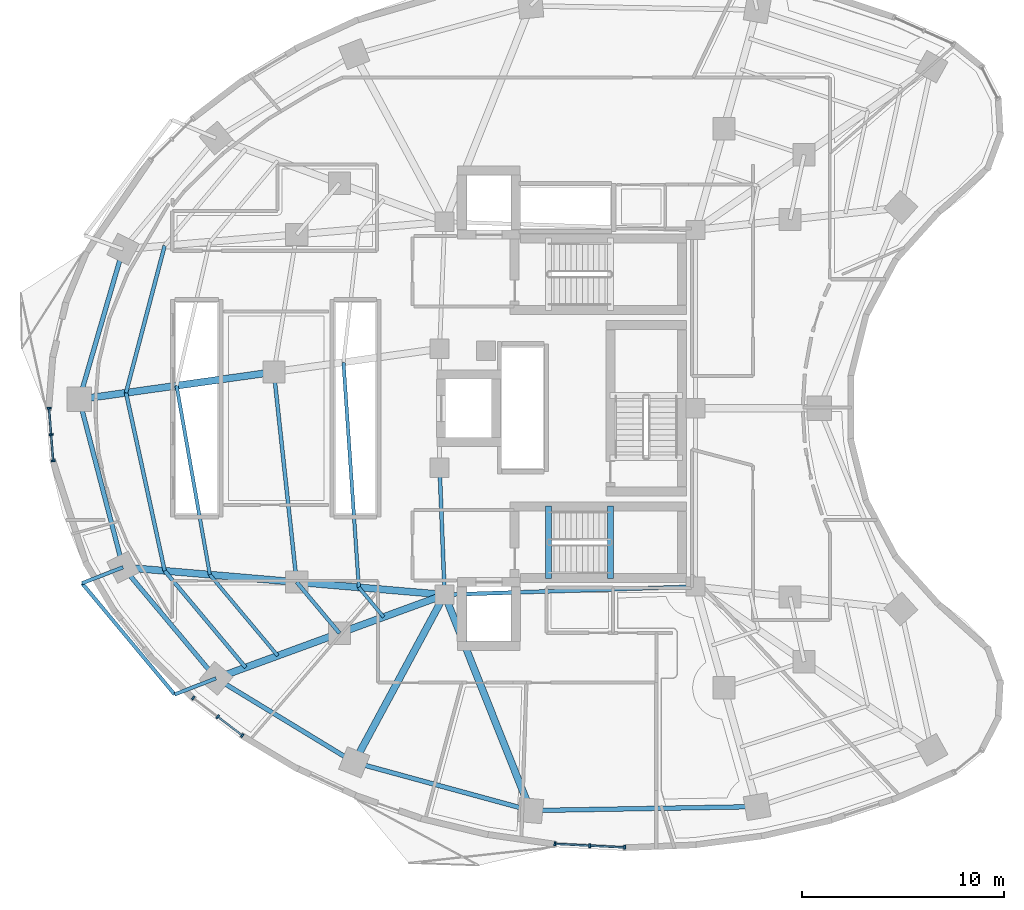
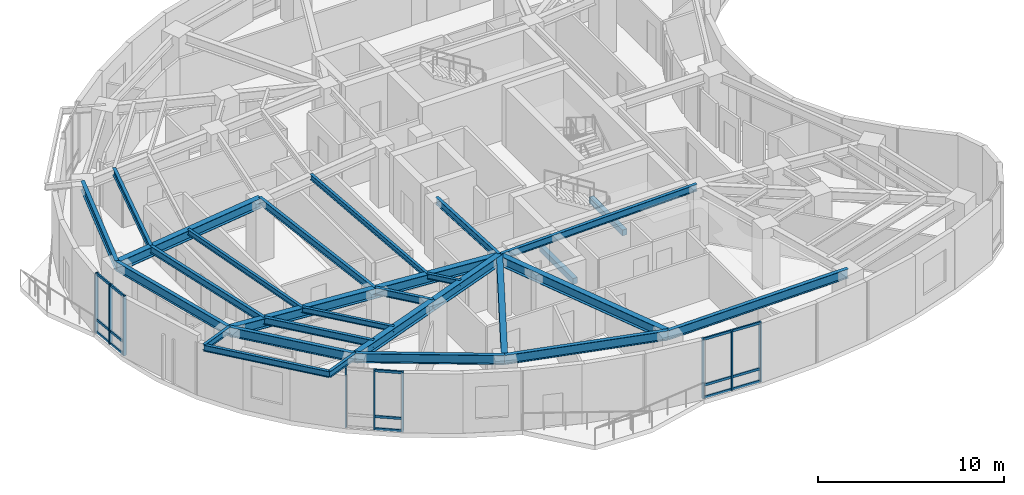
# One storey, part 2 of 15: 29 beams, 24 members, 3 elements without a shape of their own.
"""IFC4 building model written with IfcOpenShell, lengths in metres."""

from ifc_helpers import new_model, si_unit, direction, frame, origin, origin_2d, place, context, subcontext, project, spatial, rectangle, i_section, extrude, material, layer, layer_set, material_profile, profile_set, type_object, element, aggregate, save


model = new_model("IFC4")

# Units and contexts
model_context = context("Model", 3, precision=1e-05, world=origin(), true_north=direction((0.0, 1.0)))
body_context = subcontext(model_context, "Body", "Model", "MODEL_VIEW")
ifc_project = project(units=[si_unit("LENGTHUNIT", "METRE"), si_unit("AREAUNIT", "SQUARE_METRE"), si_unit("VOLUMEUNIT", "CUBIC_METRE"), si_unit("PLANEANGLEUNIT", "RADIAN"), si_unit("MASSUNIT", "GRAM", prefix="KILO")], contexts=[model_context])

# Site, building, storey
site_placement = place(None, origin())
site = spatial("IfcSite", under=ifc_project, at=site_placement, CompositionType="ELEMENT")
building_placement = place(site_placement, origin())
building = spatial("IfcBuilding", under=site, at=building_placement, Name="Korentha Bioscience Tower", CompositionType="ELEMENT")
storey_placement = place(building_placement, frame((0.0, 0.0, 111.0)))
storey = spatial("IfcBuildingStorey", under=building, at=storey_placement, Name="L25", CompositionType="ELEMENT", Elevation=111.0)

# Beams
ifc_material_1 = material(Name="Concrete C50", Category="concrete")
ifc_material_profile_1 = material_profile(ifc_material_1, rectangle(XDim=0.280029296875, YDim=0.3798828125, at=origin_2d()), Name="Concrete C50")
ifc_profile_set_1 = profile_set([ifc_material_profile_1], Name="Concrete C50 (ST-HB380)")
beam_type_1 = type_object("IfcBeamType", Name="Concrete Stair Header Beam RC 280x380", PredefinedType="BEAM", material=ifc_profile_set_1)
for number, where, z_axis, x_axis, name in (
    (1, (30.25, 18.550048828125, -0.18994140625), (0.0, 1.0, 0.0), (-1.0, 0.0, 0.0), "L25 ST-2 Concrete Stair Header Beam"),
    (2, (33.330078125, 18.550048828125, 1.909912109375), (0.0, 1.0, 0.0), (-1.0, 0.0, 0.0), "L25 ST-2 Half-Landing Header Beam 1"),
):
    element("IfcBeam", number, at=place(storey_placement, frame(where, z_axis=z_axis, x_axis=x_axis)), inside=storey, type_object=beam_type_1, Name=name, PredefinedType="BEAM", context=body_context, shape_type="SweptSolid", body=[
        extrude(rectangle(XDim=0.280029296875, YDim=0.3798828125, at=origin_2d()), origin(), (0.0, 0.0, 1.0), 3.599853515625),
    ])
ifc_material_2 = material(Name="Steel S355", Category="steel")
ifc_material_profile_2 = material_profile(ifc_material_2, i_section(OverallWidth=0.18994140625, OverallDepth=0.45703125, WebThickness=0.009033203125, FlangeThickness=0.014404296875, at=origin_2d()), Name="Steel S355")
ifc_profile_set_2 = profile_set([ifc_material_profile_2], Name="Steel S355 (MB-460)")
beam_type_2 = type_object("IfcBeamType", Name="Mid-Ring Tie Girder W460x74", PredefinedType="BEAM", material=ifc_profile_set_2)
beam_1_placement = place(storey_placement, frame((16.627197265625, 28.796630859375, 3.67138671875), z_axis=(0.108002632645, -0.994150607977, 0.0), x_axis=(0.994150607977, 0.108002632645, 0.0)))
element("IfcBeam", 3, at=beam_1_placement, inside=storey, type_object=beam_type_2, Name="L25 Mid-Ring Tie Girder 07", PredefinedType="BEAM", context=body_context, shape_type="SweptSolid", body=[
    extrude(i_section(OverallWidth=0.18994140625, OverallDepth=0.45703125, WebThickness=0.009033203125, FlangeThickness=0.014404296875, at=origin_2d()), origin(), (0.0, 0.0, 1.0), 10.48193359375),
])
beam_2_placement = place(storey_placement, frame((17.75927734375, 18.3759765625, 3.67138671875), z_axis=(0.642121371708, -0.766602989817, 0.0), x_axis=(0.766602989817, 0.642121371708, 0.0)))
element("IfcBeam", 4, at=beam_2_placement, inside=storey, type_object=beam_type_2, Name="L25 Mid-Ring Tie Girder 08", PredefinedType="BEAM", context=body_context, shape_type="SweptSolid", body=[
    extrude(i_section(OverallWidth=0.18994140625, OverallDepth=0.45703125, WebThickness=0.009033203125, FlangeThickness=0.014404296875, at=origin_2d()), origin(), (0.0, 0.0, 1.0), 3.306640625),
])
beam_3_placement = place(storey_placement, frame((24.85009765625, 24.050048828125, 3.67138671875), z_axis=(0.039651025576, -0.999213588864, 0.0), x_axis=(0.999213588864, 0.039651025576, 0.0)))
element("IfcBeam", 5, at=beam_3_placement, inside=storey, type_object=beam_type_2, Name="L25 Core Ring Tie Girder 04", PredefinedType="BEAM", context=body_context, shape_type="SweptSolid", body=[
    extrude(i_section(OverallWidth=0.18994140625, OverallDepth=0.45703125, WebThickness=0.009033203125, FlangeThickness=0.014404296875, at=origin_2d()), origin(), (0.0, 0.0, 1.0), 6.304931640625),
])
beam_4_placement = place(storey_placement, frame((25.10009765625, 17.75, 3.67138671875), z_axis=(0.999484526071, 0.032104238723, 0.0), x_axis=(-0.032104238723, 0.999484526071, 0.0)))
element("IfcBeam", 6, at=beam_4_placement, inside=storey, type_object=beam_type_2, Name="L25 Core Ring Tie Girder 05", PredefinedType="BEAM", context=body_context, shape_type="SweptSolid", body=[
    extrude(i_section(OverallWidth=0.18994140625, OverallDepth=0.45703125, WebThickness=0.009033203125, FlangeThickness=0.014404296875, at=origin_2d()), origin(), (0.0, 0.0, 1.0), 12.456298828125),
])

# Curtain wall, members
ifc_material_3 = material(Name="Thermally Broken Aluminium Frame", Category="aluminium")
ifc_layer = layer(ifc_material_3, 0.219970703125, Name="Thermally Broken Aluminium Frame")
ifc_layer_set = layer_set([ifc_layer], Name="Thermally Broken Aluminium Frame (CW-T1)")
curtain_wall_type = type_object("IfcCurtainWallType", Name="Standard Bioscience Lab Unitised Curtain Wall CW-T1", PredefinedType="USERDEFINED", material=ifc_layer_set)
curtain_wall_1_placement = place(storey_placement, origin())
curtain_wall_1 = element("IfcCurtainWall", 7, at=curtain_wall_1_placement, inside=storey, type_object=curtain_wall_type, Name="L25 Curtain Wall 19", ObjectType="UNITISED", PredefinedType="USERDEFINED")
ifc_material_4 = material(Name="Anodised Aluminium 6063-T6", Category="aluminium")
ifc_material_profile_3 = material_profile(ifc_material_4, rectangle(XDim=0.090087890625, YDim=0.199951171875, at=origin_2d()), Name="Anodised Aluminium 6063-T6")
ifc_profile_set_3 = profile_set([ifc_material_profile_3], Name="Anodised Aluminium 6063-T6 (CW-MUL)")
member_type_1 = type_object("IfcMemberType", Name="Mullion RECT 90x200", PredefinedType="MULLION", material=ifc_profile_set_3)
member_1_placement = place(storey_placement, frame((5.473876953125, 27.0078125, 0.0), z_axis=(0.0, 0.0, 1.0), x_axis=(0.079130214674, -0.996864288219, 0.0)))
member_1 = element("IfcMember", 8, at=member_1_placement, type_object=member_type_1, Name="CW-L25-19 Mullion 1", PredefinedType="MULLION", context=body_context, shape_type="SweptSolid", body=[
    extrude(rectangle(XDim=0.090087890625, YDim=0.199951171875, at=origin_2d()), origin(), (0.0, 0.0, 1.0), 3.89990234375),
])
member_2_placement = place(storey_placement, frame((5.577880859375, 25.6962890625, 0.0), z_axis=(0.0, 0.0, 1.0), x_axis=(0.079130214674, -0.996864288219, 0.0)))
member_2 = element("IfcMember", 9, at=member_2_placement, type_object=member_type_1, Name="CW-L25-19 Mullion 2", PredefinedType="MULLION", context=body_context, shape_type="SweptSolid", body=[
    extrude(rectangle(XDim=0.090087890625, YDim=0.199951171875, at=origin_2d()), origin(), (0.0, 0.0, 1.0), 3.89990234375),
])
member_3_placement = place(storey_placement, frame((5.681884765625, 24.38525390625, 0.0), z_axis=(0.0, 0.0, 1.0), x_axis=(0.079130214674, -0.996864288219, 0.0)))
member_3 = element("IfcMember", 10, at=member_3_placement, type_object=member_type_1, Name="CW-L25-19 Mullion 3", PredefinedType="MULLION", context=body_context, shape_type="SweptSolid", body=[
    extrude(rectangle(XDim=0.090087890625, YDim=0.199951171875, at=origin_2d()), origin(), (0.0, 0.0, 1.0), 3.89990234375),
])

curtain_wall_2_placement = place(storey_placement, origin())
curtain_wall_2 = element("IfcCurtainWall", 11, at=curtain_wall_2_placement, inside=storey, type_object=curtain_wall_type, Name="L25 Curtain Wall 25", ObjectType="UNITISED", PredefinedType="USERDEFINED")
member_4_placement = place(storey_placement, frame((12.624267578125, 12.62890625, 0.0), z_axis=(0.0, 0.0, 1.0), x_axis=(0.794499603893, -0.607264669986, 0.0)))
member_4 = element("IfcMember", 12, at=member_4_placement, type_object=member_type_1, Name="CW-L25-25 Mullion 1", PredefinedType="MULLION", context=body_context, shape_type="SweptSolid", body=[
    extrude(rectangle(XDim=0.090087890625, YDim=0.199951171875, at=origin_2d()), origin(), (0.0, 0.0, 1.0), 3.89990234375),
])
member_5_placement = place(storey_placement, frame((13.844970703125, 11.69580078125, 0.0), z_axis=(0.0, 0.0, 1.0), x_axis=(0.794499603893, -0.607264669986, 0.0)))
member_5 = element("IfcMember", 13, at=member_5_placement, type_object=member_type_1, Name="CW-L25-25 Mullion 2", PredefinedType="MULLION", context=body_context, shape_type="SweptSolid", body=[
    extrude(rectangle(XDim=0.090087890625, YDim=0.199951171875, at=origin_2d()), origin(), (0.0, 0.0, 1.0), 3.89990234375),
])
member_6_placement = place(storey_placement, frame((15.0654296875, 10.7626953125, 0.0), z_axis=(0.0, 0.0, 1.0), x_axis=(0.794499603893, -0.607264669986, 0.0)))
member_6 = element("IfcMember", 14, at=member_6_placement, type_object=member_type_1, Name="CW-L25-25 Mullion 3", PredefinedType="MULLION", context=body_context, shape_type="SweptSolid", body=[
    extrude(rectangle(XDim=0.090087890625, YDim=0.199951171875, at=origin_2d()), origin(), (0.0, 0.0, 1.0), 3.89990234375),
])

curtain_wall_3_placement = place(storey_placement, origin())
curtain_wall_3 = element("IfcCurtainWall", 15, at=curtain_wall_3_placement, inside=storey, type_object=curtain_wall_type, Name="L25 Curtain Wall 31", ObjectType="UNITISED", PredefinedType="USERDEFINED")
member_7_placement = place(storey_placement, frame((30.571533203125, 5.39111328125, 0.0), z_axis=(0.0, 0.0, 1.0), x_axis=(0.998673231344, -0.051495407527, 0.0)))
member_7 = element("IfcMember", 16, at=member_7_placement, type_object=member_type_1, Name="CW-L25-31 Mullion 1", PredefinedType="MULLION", context=body_context, shape_type="SweptSolid", body=[
    extrude(rectangle(XDim=0.090087890625, YDim=0.199951171875, at=origin_2d()), origin(), (0.0, 0.0, 1.0), 3.89990234375),
])
member_8_placement = place(storey_placement, frame((32.301025390625, 5.302001953125, 0.0), z_axis=(0.0, 0.0, 1.0), x_axis=(0.998673231344, -0.051495407527, 0.0)))
member_8 = element("IfcMember", 17, at=member_8_placement, type_object=member_type_1, Name="CW-L25-31 Mullion 2", PredefinedType="MULLION", context=body_context, shape_type="SweptSolid", body=[
    extrude(rectangle(XDim=0.090087890625, YDim=0.199951171875, at=origin_2d()), origin(), (0.0, 0.0, 1.0), 3.89990234375),
])
member_9_placement = place(storey_placement, frame((34.03076171875, 5.212646484375, 0.0), z_axis=(0.0, 0.0, 1.0), x_axis=(0.998673231344, -0.051495407527, 0.0)))
member_9 = element("IfcMember", 18, at=member_9_placement, type_object=member_type_1, Name="CW-L25-31 Mullion 3", PredefinedType="MULLION", context=body_context, shape_type="SweptSolid", body=[
    extrude(rectangle(XDim=0.090087890625, YDim=0.199951171875, at=origin_2d()), origin(), (0.0, 0.0, 1.0), 3.89990234375),
])

# Beams
ifc_material_profile_4 = material_profile(ifc_material_2, i_section(OverallWidth=0.22802734375, OverallDepth=0.60791015625, WebThickness=0.01123046875, FlangeThickness=0.017333984375, at=origin_2d()), Name="Steel S355")
ifc_profile_set_4 = profile_set([ifc_material_profile_4], Name="Steel S355 (SB-610)")
beam_type_3 = type_object("IfcBeamType", Name="Perimeter Ring Spandrel Girder W610x113", PredefinedType="SPANDREL", material=ifc_profile_set_4)
beam_5_placement = place(storey_placement, frame((9.141845703125, 34.889404296875, 3.595947265625), z_axis=(-0.279486251653, -0.960149694129, 0.0), x_axis=(0.960149694129, -0.279486251653, 0.0)))
element("IfcBeam", 19, at=beam_5_placement, inside=storey, type_object=beam_type_3, Name="L25 Perimeter Spandrel Girder 06", PredefinedType="SPANDREL", context=body_context, shape_type="SweptSolid", body=[
    extrude(i_section(OverallWidth=0.22802734375, OverallDepth=0.60791015625, WebThickness=0.01123046875, FlangeThickness=0.017333984375, at=origin_2d()), origin(), (0.0, 0.0, 1.0), 7.756103515625),
])
beam_6_placement = place(storey_placement, frame((6.97412109375, 27.4423828125, 3.595947265625), z_axis=(0.251792692694, -0.96778119423, 0.0), x_axis=(0.96778119423, 0.251792692694, 0.0)))
element("IfcBeam", 20, at=beam_6_placement, inside=storey, type_object=beam_type_3, Name="L25 Perimeter Spandrel Girder 07", PredefinedType="SPANDREL", context=body_context, shape_type="SweptSolid", body=[
    extrude(i_section(OverallWidth=0.22802734375, OverallDepth=0.60791015625, WebThickness=0.01123046875, FlangeThickness=0.017333984375, at=origin_2d()), origin(), (0.0, 0.0, 1.0), 8.609130859375),
])
beam_7_placement = place(storey_placement, frame((9.141845703125, 19.110595703125, 3.595947265625), z_axis=(0.642126556076, -0.76659864726, 0.0), x_axis=(0.76659864726, 0.642126556076, 0.0)))
element("IfcBeam", 21, at=beam_7_placement, inside=storey, type_object=beam_type_3, Name="L25 Perimeter Spandrel Girder 08", PredefinedType="SPANDREL", context=body_context, shape_type="SweptSolid", body=[
    extrude(i_section(OverallWidth=0.22802734375, OverallDepth=0.60791015625, WebThickness=0.01123046875, FlangeThickness=0.017333984375, at=origin_2d()), origin(), (0.0, 0.0, 1.0), 7.1884765625),
])
beam_8_placement = place(storey_placement, frame((13.7578125, 13.599853515625, 3.595947265625), z_axis=(0.854461040474, -0.51951547649, 0.0), x_axis=(0.51951547649, 0.854461040474, 0.0)))
element("IfcBeam", 22, at=beam_8_placement, inside=storey, type_object=beam_type_3, Name="L25 Perimeter Spandrel Girder 09", PredefinedType="SPANDREL", context=body_context, shape_type="SweptSolid", body=[
    extrude(i_section(OverallWidth=0.22802734375, OverallDepth=0.60791015625, WebThickness=0.01123046875, FlangeThickness=0.017333984375, at=origin_2d()), origin(), (0.0, 0.0, 1.0), 8.025146484375),
])
beam_9_placement = place(storey_placement, frame((20.614990234375, 9.4306640625, 3.595947265625), z_axis=(0.964659386444, -0.263500034431, 0.0), x_axis=(0.263500034431, 0.964659386444, 0.0)))
element("IfcBeam", 23, at=beam_9_placement, inside=storey, type_object=beam_type_3, Name="L25 Perimeter Spandrel Girder 10", PredefinedType="SPANDREL", context=body_context, shape_type="SweptSolid", body=[
    extrude(i_section(OverallWidth=0.22802734375, OverallDepth=0.60791015625, WebThickness=0.01123046875, FlangeThickness=0.017333984375, at=origin_2d()), origin(), (0.0, 0.0, 1.0), 9.06982421875),
])
beam_10_placement = place(storey_placement, frame((29.3642578125, 7.040771484375, 3.595947265625), z_axis=(0.999850566826, 0.017287105523, 0.0), x_axis=(-0.017287105523, 0.999850566826, 0.0)))
element("IfcBeam", 24, at=beam_10_placement, inside=storey, type_object=beam_type_3, Name="L25 Perimeter Spandrel Girder 11", PredefinedType="SPANDREL", context=body_context, shape_type="SweptSolid", body=[
    extrude(i_section(OverallWidth=0.22802734375, OverallDepth=0.60791015625, WebThickness=0.01123046875, FlangeThickness=0.017333984375, at=origin_2d()), origin(), (0.0, 0.0, 1.0), 11.24169921875),
])
ifc_material_profile_5 = material_profile(ifc_material_2, i_section(OverallWidth=0.18994140625, OverallDepth=0.45703125, WebThickness=0.009033203125, FlangeThickness=0.014404296875, at=origin_2d()), Name="Steel S355")
ifc_profile_set_5 = profile_set([ifc_material_profile_5], Name="Steel S355 (RB-460)")
beam_type_4 = type_object("IfcBeamType", Name="Radial Laboratory Beam W460x74", PredefinedType="BEAM", material=ifc_profile_set_5)
beam_11_placement = place(storey_placement, frame((11.2099609375, 35.065673828125, 3.67138671875), z_axis=(-0.254294231014, -0.967126901742, 0.0), x_axis=(0.967126901742, -0.254294231014, 0.0)))
element("IfcBeam", 25, at=beam_11_placement, inside=storey, type_object=beam_type_4, Name="L25 Secondary Floor Beam JSTO-06", PredefinedType="BEAM", context=body_context, shape_type="SweptSolid", body=[
    extrude(i_section(OverallWidth=0.18994140625, OverallDepth=0.45703125, WebThickness=0.009033203125, FlangeThickness=0.014404296875, at=origin_2d()), origin(), (0.0, 0.0, 1.0), 7.546142578125),
])
beam_12_placement = place(storey_placement, frame((9.291015625, 27.767578125, 3.67138671875), z_axis=(0.212289478944, -0.977206824132, 0.0), x_axis=(0.977206824132, 0.212289478944, 0.0)))
element("IfcBeam", 26, at=beam_12_placement, inside=storey, type_object=beam_type_4, Name="L25 Secondary Floor Beam JSTO-07", PredefinedType="BEAM", context=body_context, shape_type="SweptSolid", body=[
    extrude(i_section(OverallWidth=0.18994140625, OverallDepth=0.45703125, WebThickness=0.009033203125, FlangeThickness=0.014404296875, at=origin_2d()), origin(), (0.0, 0.0, 1.0), 9.039306640625),
])
beam_13_placement = place(storey_placement, frame((11.2099609375, 18.934326171875, 3.67138671875), z_axis=(0.642128156066, -0.766597307057, 0.0), x_axis=(0.766597307057, 0.642128156066, 0.0)))
element("IfcBeam", 27, at=beam_13_placement, inside=storey, type_object=beam_type_4, Name="L25 Secondary Floor Beam JSTO-08", PredefinedType="BEAM", context=body_context, shape_type="SweptSolid", body=[
    extrude(i_section(OverallWidth=0.18994140625, OverallDepth=0.45703125, WebThickness=0.009033203125, FlangeThickness=0.014404296875, at=origin_2d()), origin(), (0.0, 0.0, 1.0), 6.257080078125),
])
ifc_material_profile_6 = material_profile(ifc_material_2, i_section(OverallWidth=0.35009765625, OverallDepth=0.64990234375, WebThickness=0.01611328125, FlangeThickness=0.02490234375, at=origin_2d()), Name="Steel S355")
ifc_profile_set_6 = profile_set([ifc_material_profile_6], Name="Steel S355 (RB-650)")
beam_type_5 = type_object("IfcBeamType", Name="Radial Laboratory Girder CVS 650x208", PredefinedType="BEAM", material=ifc_profile_set_6)
beam_14_placement = place(storey_placement, frame((16.627197265625, 28.796630859375, 3.574951171875), z_axis=(-0.99030201931, -0.138931315944, 0.0), x_axis=(0.138931315944, -0.99030201931, 0.0)))
element("IfcBeam", 28, at=beam_14_placement, inside=storey, type_object=beam_type_5, Name="L25 Outer Radial Girder 07", PredefinedType="BEAM", context=body_context, shape_type="SweptSolid", body=[
    extrude(i_section(OverallWidth=0.35009765625, OverallDepth=0.64990234375, WebThickness=0.01611328125, FlangeThickness=0.02490234375, at=origin_2d()), origin(), (0.0, 0.0, 1.0), 9.74755859375),
])
beam_15_placement = place(storey_placement, frame((25.10009765625, 17.75, 3.574951171875), z_axis=(-0.996383934197, 0.084965026183, 0.0), x_axis=(-0.084965026183, -0.996383934197, 0.0)))
element("IfcBeam", 29, at=beam_15_placement, inside=storey, type_object=beam_type_5, Name="L25 Inner Radial Girder 08", PredefinedType="BEAM", context=body_context, shape_type="SweptSolid", body=[
    extrude(i_section(OverallWidth=0.35009765625, OverallDepth=0.64990234375, WebThickness=0.01611328125, FlangeThickness=0.02490234375, at=origin_2d()), origin(), (0.0, 0.0, 1.0), 7.367431640625),
])
beam_16_placement = place(storey_placement, frame((17.75927734375, 18.3759765625, 3.574951171875), z_axis=(-0.996386071548, 0.084939957767, 0.0), x_axis=(-0.084939957767, -0.996386071548, 0.0)))
element("IfcBeam", 30, at=beam_16_placement, inside=storey, type_object=beam_type_5, Name="L25 Outer Radial Girder 08", PredefinedType="BEAM", context=body_context, shape_type="SweptSolid", body=[
    extrude(i_section(OverallWidth=0.35009765625, OverallDepth=0.64990234375, WebThickness=0.01611328125, FlangeThickness=0.02490234375, at=origin_2d()), origin(), (0.0, 0.0, 1.0), 8.648681640625),
])
beam_17_placement = place(storey_placement, frame((25.10009765625, 17.75, 3.574951171875), z_axis=(-0.939118010396, -0.343594765022, 0.0), x_axis=(0.343594765022, -0.939118010396, 0.0)))
element("IfcBeam", 31, at=beam_17_placement, inside=storey, type_object=beam_type_5, Name="L25 Inner Radial Girder 09", PredefinedType="BEAM", context=body_context, shape_type="SweptSolid", body=[
    extrude(i_section(OverallWidth=0.35009765625, OverallDepth=0.64990234375, WebThickness=0.01611328125, FlangeThickness=0.02490234375, at=origin_2d()), origin(), (0.0, 0.0, 1.0), 5.5556640625),
])
beam_18_placement = place(storey_placement, frame((19.882568359375, 15.841064453125, 3.574951171875), z_axis=(-0.939100755225, -0.343641923425, 0.0), x_axis=(0.343641923425, -0.939100755225, 0.0)))
element("IfcBeam", 32, at=beam_18_placement, inside=storey, type_object=beam_type_5, Name="L25 Outer Radial Girder 09", PredefinedType="BEAM", context=body_context, shape_type="SweptSolid", body=[
    extrude(i_section(OverallWidth=0.35009765625, OverallDepth=0.64990234375, WebThickness=0.01611328125, FlangeThickness=0.02490234375, at=origin_2d()), origin(), (0.0, 0.0, 1.0), 6.52197265625),
])
beam_19_placement = place(storey_placement, frame((25.10009765625, 17.75, 3.574951171875), z_axis=(-0.474548018732, -0.880229616587, 0.0), x_axis=(0.880229616587, -0.474548018732, 0.0)))
element("IfcBeam", 33, at=beam_19_placement, inside=storey, type_object=beam_type_5, Name="L25 Radial Girder 10", PredefinedType="BEAM", context=body_context, shape_type="SweptSolid", body=[
    extrude(i_section(OverallWidth=0.35009765625, OverallDepth=0.64990234375, WebThickness=0.01611328125, FlangeThickness=0.02490234375, at=origin_2d()), origin(), (0.0, 0.0, 1.0), 9.451416015625),
])
beam_20_placement = place(storey_placement, frame((25.10009765625, 17.75, 3.574951171875), z_axis=(0.369929528493, -0.929059817207, 0.0), x_axis=(0.929059817207, 0.369929528493, 0.0)))
element("IfcBeam", 34, at=beam_20_placement, inside=storey, type_object=beam_type_5, Name="L25 Radial Girder 11", PredefinedType="BEAM", context=body_context, shape_type="SweptSolid", body=[
    extrude(i_section(OverallWidth=0.35009765625, OverallDepth=0.64990234375, WebThickness=0.01611328125, FlangeThickness=0.02490234375, at=origin_2d()), origin(), (0.0, 0.0, 1.0), 11.52685546875),
])
ifc_material_profile_7 = material_profile(ifc_material_2, i_section(OverallWidth=0.1708984375, OverallDepth=0.35498046875, WebThickness=0.007080078125, FlangeThickness=0.01171875, at=origin_2d()), Name="Steel S355")
ifc_profile_set_7 = profile_set([ifc_material_profile_7], Name="Steel S355 (JB-360)")
beam_type_6 = type_object("IfcBeamType", Name="Secondary Laboratory Joist W360x51", PredefinedType="JOIST", material=ifc_profile_set_7)
beam_21_placement = place(storey_placement, frame((11.800537109375, 28.11962890625, 3.722412109375), z_axis=(0.173304009699, -0.984868377105, 0.0), x_axis=(0.984868377105, 0.173304009699, 0.0)))
element("IfcBeam", 35, at=beam_21_placement, inside=storey, type_object=beam_type_6, Name="L25 Secondary Floor Beam JST-07", PredefinedType="JOIST", context=body_context, shape_type="SweptSolid", body=[
    extrude(i_section(OverallWidth=0.1708984375, OverallDepth=0.35498046875, WebThickness=0.007080078125, FlangeThickness=0.01171875, at=origin_2d()), origin(), (0.0, 0.0, 1.0), 9.520263671875),
])
beam_22_placement = place(storey_placement, frame((20.080810546875, 29.281005859375, 3.722412109375), z_axis=(0.068025861704, -0.997683558118, 0.0), x_axis=(0.997683558118, 0.068025861704, 0.0)))
element("IfcBeam", 36, at=beam_22_placement, inside=storey, type_object=beam_type_6, Name="L25 Inner Bay Joist 07", PredefinedType="JOIST", context=body_context, shape_type="SweptSolid", body=[
    extrude(i_section(OverallWidth=0.1708984375, OverallDepth=0.35498046875, WebThickness=0.007080078125, FlangeThickness=0.01171875, at=origin_2d()), origin(), (0.0, 0.0, 1.0), 11.19384765625),
])
beam_23_placement = place(storey_placement, frame((13.450439453125, 18.743408203125, 3.722412109375), z_axis=(0.642140812018, -0.76658670582, 0.0), x_axis=(0.76658670582, 0.642140812018, 0.0)))
element("IfcBeam", 37, at=beam_23_placement, inside=storey, type_object=beam_type_6, Name="L25 Secondary Floor Beam JST-08", PredefinedType="JOIST", context=body_context, shape_type="SweptSolid", body=[
    extrude(i_section(OverallWidth=0.1708984375, OverallDepth=0.35498046875, WebThickness=0.007080078125, FlangeThickness=0.01171875, at=origin_2d()), origin(), (0.0, 0.0, 1.0), 5.247802734375),
])
beam_24_placement = place(storey_placement, frame((20.84228515625, 18.113037109375, 3.722412109375), z_axis=(0.64218549873, -0.766549271229, 0.0), x_axis=(0.766549271229, 0.64218549873, 0.0)))
element("IfcBeam", 38, at=beam_24_placement, inside=storey, type_object=beam_type_6, Name="L25 Inner Bay Joist 08", PredefinedType="JOIST", context=body_context, shape_type="SweptSolid", body=[
    extrude(i_section(OverallWidth=0.1708984375, OverallDepth=0.35498046875, WebThickness=0.007080078125, FlangeThickness=0.01171875, at=origin_2d()), origin(), (0.0, 0.0, 1.0), 1.91796875),
])
ifc_material_profile_8 = material_profile(ifc_material_2, i_section(OverallWidth=0.177978515625, OverallDepth=0.406982421875, WebThickness=0.0078125, FlangeThickness=0.0126953125, at=origin_2d()), Name="Steel S355")
ifc_profile_set_8 = profile_set([ifc_material_profile_8], Name="Steel S355 (CB-410)")
beam_type_7 = type_object("IfcBeamType", Name="Sun-Ledge Cantilever Beam W410x60", PredefinedType="BEAM", material=ifc_profile_set_8)
beam_25_placement = place(storey_placement, frame((9.141845703125, 19.110595703125, 3.698486328125), z_axis=(-0.931676534019, -0.363288915272, 0.0), x_axis=(0.363288915272, -0.931676534019, 0.0)))
element("IfcBeam", 39, at=beam_25_placement, inside=storey, type_object=beam_type_7, Name="L25 Balcony Cantilever Bracket A-L26-03", PredefinedType="BEAM", context=body_context, shape_type="SweptSolid", body=[
    extrude(i_section(OverallWidth=0.177978515625, OverallDepth=0.406982421875, WebThickness=0.0078125, FlangeThickness=0.0126953125, at=origin_2d()), origin(), (0.0, 0.0, 1.0), 2.1806640625),
])
beam_26_placement = place(storey_placement, frame((13.7578125, 13.599853515625, 3.698486328125), z_axis=(-0.931734058868, -0.363141354771, 0.0), x_axis=(0.363141354771, -0.931734058868, 0.0)))
element("IfcBeam", 40, at=beam_26_placement, inside=storey, type_object=beam_type_7, Name="L25 Balcony Cantilever Bracket B-L26-03", PredefinedType="BEAM", context=body_context, shape_type="SweptSolid", body=[
    extrude(i_section(OverallWidth=0.177978515625, OverallDepth=0.406982421875, WebThickness=0.0078125, FlangeThickness=0.0126953125, at=origin_2d()), origin(), (0.0, 0.0, 1.0), 2.203125),
])
beam_27_placement = place(storey_placement, frame((7.110107421875, 18.318359375, 3.698486328125), z_axis=(0.639870007029, -0.76848316449, 0.0), x_axis=(0.76848316449, 0.639870007029, 0.0)))
element("IfcBeam", 41, at=beam_27_placement, inside=storey, type_object=beam_type_7, Name="L25 Balcony Edge Trimmer Beam L26-03", PredefinedType="BEAM", context=body_context, shape_type="SweptSolid", body=[
    extrude(i_section(OverallWidth=0.177978515625, OverallDepth=0.406982421875, WebThickness=0.0078125, FlangeThickness=0.0126953125, at=origin_2d()), origin(), (0.0, 0.0, 1.0), 7.18115234375),
])

# Member
ifc_material_profile_9 = material_profile(ifc_material_4, rectangle(XDim=0.090087890625, YDim=0.159912109375, at=origin_2d()), Name="Anodised Aluminium 6063-T6")
ifc_profile_set_9 = profile_set([ifc_material_profile_9], Name="Anodised Aluminium 6063-T6 (CW-TRN)")
member_type_2 = type_object("IfcMemberType", Name="Transom RECT 90x160", PredefinedType="USERDEFINED", material=ifc_profile_set_9)
member_10_placement = place(storey_placement, frame((5.477294921875, 26.962890625, 0.044921875), z_axis=(0.079285983344, -0.996851911191, 0.0), x_axis=(0.996851911191, 0.079285983344, 0.0)))
member_10 = element("IfcMember", 42, at=member_10_placement, type_object=member_type_2, Name="CW-L25-19 Bay 1 Transom 1", ObjectType="TRANSOM", PredefinedType="USERDEFINED", context=body_context, shape_type="SweptSolid", body=[
    extrude(rectangle(XDim=0.090087890625, YDim=0.159912109375, at=origin_2d()), origin(), (0.0, 0.0, 1.0), 1.2255859375),
])

member_11_placement = place(storey_placement, frame((5.477294921875, 26.962890625, 0.85009765625), z_axis=(0.079285983344, -0.996851911191, 0.0), x_axis=(0.996851911191, 0.079285983344, 0.0)))
member_11 = element("IfcMember", 43, at=member_11_placement, type_object=member_type_2, Name="CW-L25-19 Bay 1 Transom 2", ObjectType="TRANSOM", PredefinedType="USERDEFINED", context=body_context, shape_type="SweptSolid", body=[
    extrude(rectangle(XDim=0.090087890625, YDim=0.159912109375, at=origin_2d()), origin(), (0.0, 0.0, 1.0), 1.2255859375),
])

member_12_placement = place(storey_placement, frame((5.477294921875, 26.962890625, 3.85498046875), z_axis=(0.079285983344, -0.996851911191, 0.0), x_axis=(0.996851911191, 0.079285983344, 0.0)))
member_12 = element("IfcMember", 44, at=member_12_placement, type_object=member_type_2, Name="CW-L25-19 Bay 1 Transom 3", ObjectType="TRANSOM", PredefinedType="USERDEFINED", context=body_context, shape_type="SweptSolid", body=[
    extrude(rectangle(XDim=0.090087890625, YDim=0.159912109375, at=origin_2d()), origin(), (0.0, 0.0, 1.0), 1.2255859375),
])

member_13_placement = place(storey_placement, frame((5.58154296875, 25.651611328125, 0.044921875), z_axis=(0.079088019938, -0.996867636701, 0.0), x_axis=(0.996867636701, 0.079088019938, 0.0)))
member_13 = element("IfcMember", 45, at=member_13_placement, type_object=member_type_2, Name="CW-L25-19 Bay 2 Transom 1", ObjectType="TRANSOM", PredefinedType="USERDEFINED", context=body_context, shape_type="SweptSolid", body=[
    extrude(rectangle(XDim=0.090087890625, YDim=0.159912109375, at=origin_2d()), origin(), (0.0, 0.0, 1.0), 1.2255859375),
])

member_14_placement = place(storey_placement, frame((5.58154296875, 25.651611328125, 0.85009765625), z_axis=(0.079088019938, -0.996867636701, 0.0), x_axis=(0.996867636701, 0.079088019938, 0.0)))
member_14 = element("IfcMember", 46, at=member_14_placement, type_object=member_type_2, Name="CW-L25-19 Bay 2 Transom 2", ObjectType="TRANSOM", PredefinedType="USERDEFINED", context=body_context, shape_type="SweptSolid", body=[
    extrude(rectangle(XDim=0.090087890625, YDim=0.159912109375, at=origin_2d()), origin(), (0.0, 0.0, 1.0), 1.2255859375),
])

member_15_placement = place(storey_placement, frame((5.58154296875, 25.651611328125, 3.85498046875), z_axis=(0.079088019938, -0.996867636701, 0.0), x_axis=(0.996867636701, 0.079088019938, 0.0)))
member_15 = element("IfcMember", 47, at=member_15_placement, type_object=member_type_2, Name="CW-L25-19 Bay 2 Transom 3", ObjectType="TRANSOM", PredefinedType="USERDEFINED", context=body_context, shape_type="SweptSolid", body=[
    extrude(rectangle(XDim=0.090087890625, YDim=0.159912109375, at=origin_2d()), origin(), (0.0, 0.0, 1.0), 1.2255859375),
])

aggregate(curtain_wall_1, [member_1, member_2, member_3, member_10, member_11, member_12, member_13, member_14, member_15])

member_16_placement = place(storey_placement, frame((13.880615234375, 11.66845703125, 0.044921875), z_axis=(0.794477589546, -0.607293470828, 0.0), x_axis=(0.607293470828, 0.794477589546, 0.0)))
member_16 = element("IfcMember", 48, at=member_16_placement, type_object=member_type_2, Name="CW-L25-25 Bay 2 Transom 1", ObjectType="TRANSOM", PredefinedType="USERDEFINED", context=body_context, shape_type="SweptSolid", body=[
    extrude(rectangle(XDim=0.090087890625, YDim=0.159912109375, at=origin_2d()), origin(), (0.0, 0.0, 1.0), 1.446533203125),
])

member_17_placement = place(storey_placement, frame((13.880615234375, 11.66845703125, 0.85009765625), z_axis=(0.794477589546, -0.607293470828, 0.0), x_axis=(0.607293470828, 0.794477589546, 0.0)))
member_17 = element("IfcMember", 49, at=member_17_placement, type_object=member_type_2, Name="CW-L25-25 Bay 2 Transom 2", ObjectType="TRANSOM", PredefinedType="USERDEFINED", context=body_context, shape_type="SweptSolid", body=[
    extrude(rectangle(XDim=0.090087890625, YDim=0.159912109375, at=origin_2d()), origin(), (0.0, 0.0, 1.0), 1.446533203125),
])

member_18_placement = place(storey_placement, frame((13.880615234375, 11.66845703125, 3.85498046875), z_axis=(0.794477589546, -0.607293470828, 0.0), x_axis=(0.607293470828, 0.794477589546, 0.0)))
member_18 = element("IfcMember", 50, at=member_18_placement, type_object=member_type_2, Name="CW-L25-25 Bay 2 Transom 3", ObjectType="TRANSOM", PredefinedType="USERDEFINED", context=body_context, shape_type="SweptSolid", body=[
    extrude(rectangle(XDim=0.090087890625, YDim=0.159912109375, at=origin_2d()), origin(), (0.0, 0.0, 1.0), 1.446533203125),
])

aggregate(curtain_wall_2, [member_4, member_5, member_6, member_16, member_17, member_18])

member_19_placement = place(storey_placement, frame((30.616455078125, 5.388916015625, 0.044921875), z_axis=(0.998667892989, -0.05159883247, 0.0), x_axis=(0.05159883247, 0.998667892989, 0.0)))
member_19 = element("IfcMember", 51, at=member_19_placement, type_object=member_type_2, Name="CW-L25-31 Bay 1 Transom 1", ObjectType="TRANSOM", PredefinedType="USERDEFINED", context=body_context, shape_type="SweptSolid", body=[
    extrude(rectangle(XDim=0.090087890625, YDim=0.159912109375, at=origin_2d()), origin(), (0.0, 0.0, 1.0), 1.641845703125),
])

member_20_placement = place(storey_placement, frame((30.616455078125, 5.388916015625, 0.85009765625), z_axis=(0.998667892989, -0.05159883247, 0.0), x_axis=(0.05159883247, 0.998667892989, 0.0)))
member_20 = element("IfcMember", 52, at=member_20_placement, type_object=member_type_2, Name="CW-L25-31 Bay 1 Transom 2", ObjectType="TRANSOM", PredefinedType="USERDEFINED", context=body_context, shape_type="SweptSolid", body=[
    extrude(rectangle(XDim=0.090087890625, YDim=0.159912109375, at=origin_2d()), origin(), (0.0, 0.0, 1.0), 1.641845703125),
])

member_21_placement = place(storey_placement, frame((30.616455078125, 5.388916015625, 3.85498046875), z_axis=(0.998667892989, -0.05159883247, 0.0), x_axis=(0.05159883247, 0.998667892989, 0.0)))
member_21 = element("IfcMember", 53, at=member_21_placement, type_object=member_type_2, Name="CW-L25-31 Bay 1 Transom 3", ObjectType="TRANSOM", PredefinedType="USERDEFINED", context=body_context, shape_type="SweptSolid", body=[
    extrude(rectangle(XDim=0.090087890625, YDim=0.159912109375, at=origin_2d()), origin(), (0.0, 0.0, 1.0), 1.641845703125),
])

member_22_placement = place(storey_placement, frame((32.345947265625, 5.299560546875, 0.044921875), z_axis=(0.998675544552, -0.051450526863, 0.0), x_axis=(0.051450526863, 0.998675544552, 0.0)))
member_22 = element("IfcMember", 54, at=member_22_placement, type_object=member_type_2, Name="CW-L25-31 Bay 2 Transom 1", ObjectType="TRANSOM", PredefinedType="USERDEFINED", context=body_context, shape_type="SweptSolid", body=[
    extrude(rectangle(XDim=0.090087890625, YDim=0.159912109375, at=origin_2d()), origin(), (0.0, 0.0, 1.0), 1.641845703125),
])

member_23_placement = place(storey_placement, frame((32.345947265625, 5.299560546875, 0.85009765625), z_axis=(0.998675544552, -0.051450526863, 0.0), x_axis=(0.051450526863, 0.998675544552, 0.0)))
member_23 = element("IfcMember", 55, at=member_23_placement, type_object=member_type_2, Name="CW-L25-31 Bay 2 Transom 2", ObjectType="TRANSOM", PredefinedType="USERDEFINED", context=body_context, shape_type="SweptSolid", body=[
    extrude(rectangle(XDim=0.090087890625, YDim=0.159912109375, at=origin_2d()), origin(), (0.0, 0.0, 1.0), 1.641845703125),
])

member_24_placement = place(storey_placement, frame((32.345947265625, 5.299560546875, 3.85498046875), z_axis=(0.998675544552, -0.051450526863, 0.0), x_axis=(0.051450526863, 0.998675544552, 0.0)))
member_24 = element("IfcMember", 56, at=member_24_placement, type_object=member_type_2, Name="CW-L25-31 Bay 2 Transom 3", ObjectType="TRANSOM", PredefinedType="USERDEFINED", context=body_context, shape_type="SweptSolid", body=[
    extrude(rectangle(XDim=0.090087890625, YDim=0.159912109375, at=origin_2d()), origin(), (0.0, 0.0, 1.0), 1.641845703125),
])

aggregate(curtain_wall_3, [member_7, member_8, member_9, member_19, member_20, member_21, member_22, member_23, member_24])

save(model, "model.ifc")
